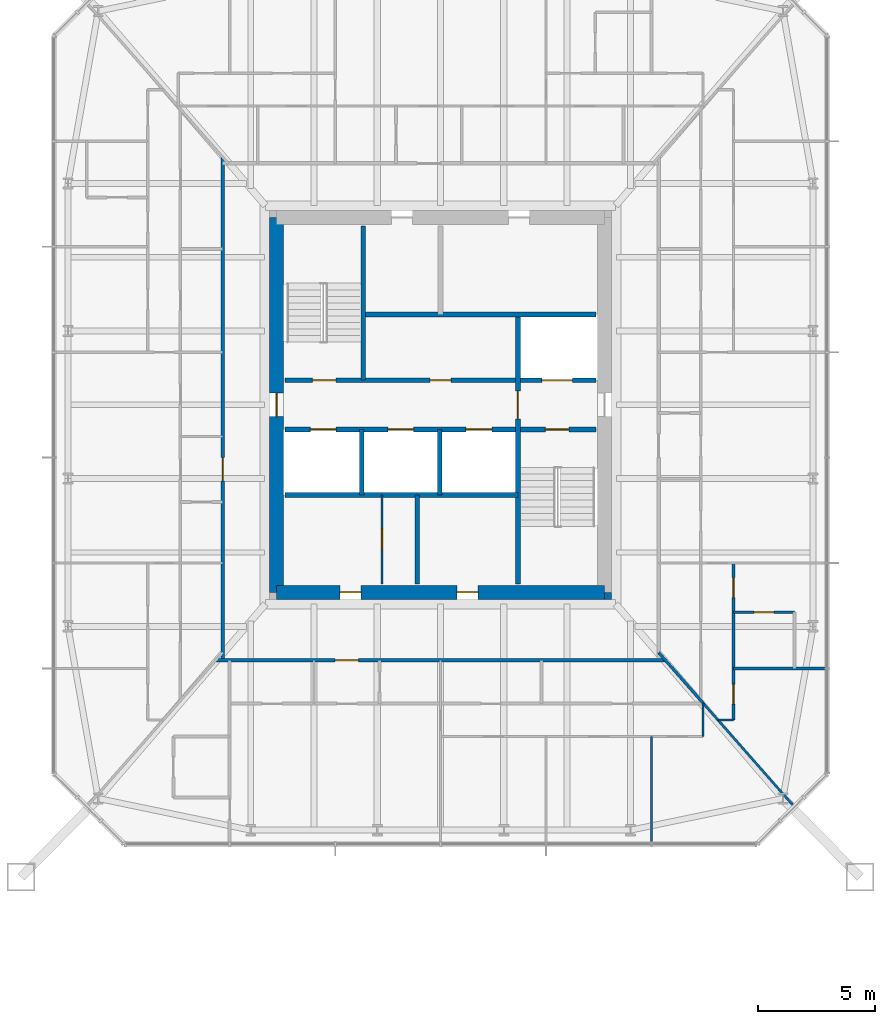
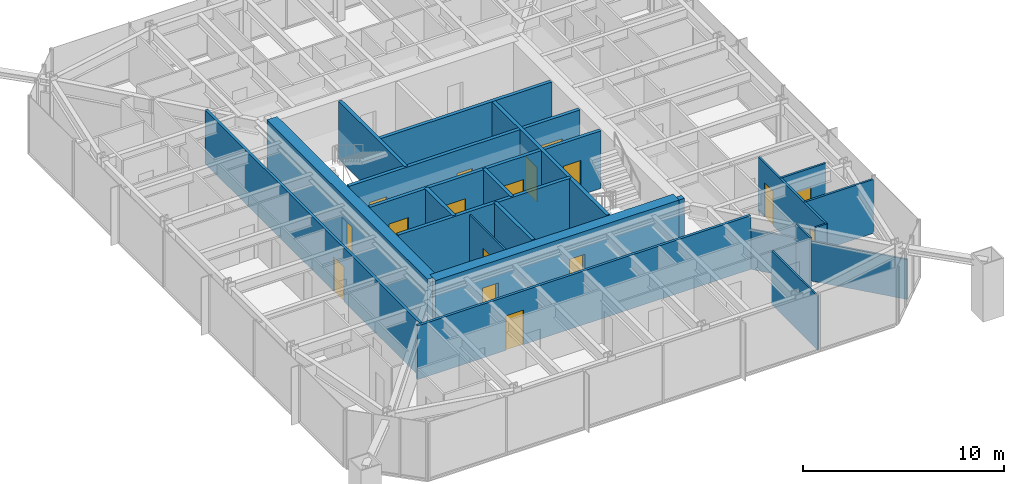
# One storey, part 19 of 26: 23 walls, 17 doors, 17 openings.
"""IFC4 building model written with IfcOpenShell, lengths in metres."""

from ifc_helpers import new_model, si_unit, direction, frame, frame_2d, origin, place, context, subcontext, project, spatial, rectangle, extrude, material, layer, layer_set, type_object, element, fill, save


model = new_model("IFC4")

# Units and contexts
model_context = context("Model", 3, precision=1e-05, world=origin(), true_north=direction((0.0, 1.0)))
body_context = subcontext(model_context, "Body", "Model", "MODEL_VIEW")
ifc_project = project(units=[si_unit("LENGTHUNIT", "METRE"), si_unit("AREAUNIT", "SQUARE_METRE"), si_unit("VOLUMEUNIT", "CUBIC_METRE"), si_unit("PLANEANGLEUNIT", "RADIAN"), si_unit("MASSUNIT", "GRAM", prefix="KILO")], contexts=[model_context])

# Site, building, storey
site_placement = place(None, origin())
site = spatial("IfcSite", under=ifc_project, at=site_placement, CompositionType="ELEMENT")
building_placement = place(site_placement, origin())
building = spatial("IfcBuilding", under=site, at=building_placement, Name="Iwan Alto Co-Living Towers", CompositionType="ELEMENT")
storey_placement = place(building_placement, frame((0.0, 0.0, 18.5)))
storey = spatial("IfcBuildingStorey", under=building, at=storey_placement, Name="L04", CompositionType="ELEMENT", Elevation=18.5)

# Wall, opening, door
ifc_material_1 = material(Name="Gypsum board")
ifc_layer_1 = layer(ifc_material_1, 0.02490234375, Name="Board", Category="Finish")
ifc_material_2 = material(Name="Steel ASTM A1003 ST33H cold-formed studs", Category="steel")
ifc_layer_2 = layer(ifc_material_2, 0.10009765625, Name="Studs", Category="Framing")
ifc_layer_3 = layer(ifc_material_1, 0.02490234375, Name="Board", Category="Finish")
ifc_layer_set_1 = layer_set([ifc_layer_1, ifc_layer_2, ifc_layer_3], Name="CORRIDOR WALL 150")
wall_type_1 = type_object("IfcWallType", Name="CORRIDOR WALL 150", PredefinedType="PARTITIONING", material=ifc_layer_set_1)
wall_1_placement = place(storey_placement, frame((53.407958984375, -10.89990234375, 0.0), z_axis=(0.0, 0.0, 1.0), x_axis=(1.0, 0.0, 0.0)))
wall_1 = element("IfcWall", 1, at=wall_1_placement, inside=storey, type_object=wall_type_1, Name="Partition L04", PredefinedType="PARTITIONING", context=body_context, shape_type="SweptSolid", body=[
    extrude(rectangle(XDim=19.18408203125, YDim=0.14990234375, at=frame_2d((9.592041015625, 0.0))), origin(), (0.0, 0.0, 1.0), 3.27001953125),
])
opening_1_placement = place(wall_1_placement, frame((5.092041015625, 0.0, 0.0)))
opening_1 = element("IfcOpeningElement", 2, at=opening_1_placement, cuts=wall_1, Name="Opening D3", PredefinedType="OPENING", context=body_context, shape_type="SweptSolid", body=[
    extrude(rectangle(XDim=1.0, YDim=2.10009765625, at=frame_2d((0.5, 1.050048828125))), frame((0.0, 0.0849609375, 0.0), z_axis=(0.0, -1.0, 0.0), x_axis=(1.0, 0.0, 0.0)), (0.0, 0.0, 1.0), 0.169921875),
])
ifc_material_3 = material(Name="Steel frame with timber leaf", Category="steel")
door_type_1 = type_object("IfcDoorType", Name="FLAT ENTRANCE DOOR FD30S 1000X2100", OperationType="SINGLE_SWING_LEFT", PredefinedType="DOOR", material=ifc_material_3)
door_1_placement = place(opening_1_placement, frame((1.0, 0.0, 0.0), z_axis=(0.0, 0.0, 1.0), x_axis=(-1.0, 0.0, 0.0)))
door_1 = element("IfcDoor", 3, at=door_1_placement, inside=storey, type_object=door_type_1, Name="Apartment foyer door L04", OperationType="SINGLE_SWING_RIGHT", OverallHeight=2.10009765625, OverallWidth=1.0, PredefinedType="DOOR", context=body_context, shape_type="SweptSolid", body=[
    extrude(rectangle(XDim=1.0, YDim=2.10009765625, at=frame_2d((0.5, 1.050048828125))), frame((0.0, 0.02490234375, 0.0), z_axis=(0.0, -1.0, 0.0), x_axis=(1.0, 0.0, 0.0)), (0.0, 0.0, 1.0), 0.050048828125),
])
fill(opening_1, door_1)

wall_2_placement = place(storey_placement, frame((53.699951171875, -10.89990234375, 0.0), z_axis=(0.0, 0.0, 1.0), x_axis=(0.0, 1.0, 0.0)))
wall_2 = element("IfcWall", 4, at=wall_2_placement, inside=storey, type_object=wall_type_1, Name="Partition L04", PredefinedType="PARTITIONING", context=body_context, shape_type="SweptSolid", body=[
    extrude(rectangle(XDim=21.468017578125, YDim=0.14990234375, at=frame_2d((10.73388671875, 0.0))), origin(), (0.0, 0.0, 1.0), 3.27001953125),
])
opening_2_placement = place(wall_2_placement, frame((7.64990234375, 0.0, 0.0)))
opening_2 = element("IfcOpeningElement", 5, at=opening_2_placement, cuts=wall_2, Name="Opening D3", PredefinedType="OPENING", context=body_context, shape_type="SweptSolid", body=[
    extrude(rectangle(XDim=1.0, YDim=2.10009765625, at=frame_2d((0.5, 1.050048828125))), frame((0.0, 0.0849609375, 0.0), z_axis=(0.0, -1.0, 0.0), x_axis=(1.0, 0.0, 0.0)), (0.0, 0.0, 1.0), 0.169921875),
])
door_2_placement = place(opening_2_placement, origin())
door_2 = element("IfcDoor", 6, at=door_2_placement, inside=storey, type_object=door_type_1, Name="Apartment foyer door L04", OperationType="SINGLE_SWING_LEFT", OverallHeight=2.10009765625, OverallWidth=1.0, PredefinedType="DOOR", context=body_context, shape_type="SweptSolid", body=[
    extrude(rectangle(XDim=1.0, YDim=2.10009765625, at=frame_2d((0.5, 1.050048828125))), frame((0.0, 0.02490234375, 0.0), z_axis=(0.0, -1.0, 0.0), x_axis=(1.0, 0.0, 0.0)), (0.0, 0.0, 1.0), 0.050048828125),
])
fill(opening_2, door_2)

# Walls
ifc_layer_4 = layer(ifc_material_1, 0.012451171875, Name="Board", Category="Finish")
ifc_layer_5 = layer(ifc_material_2, 0.074951171875, Name="Studs", Category="Framing")
ifc_layer_6 = layer(ifc_material_1, 0.012451171875, Name="Board", Category="Finish")
ifc_layer_set_2 = layer_set([ifc_layer_4, ifc_layer_5, ifc_layer_6], Name="PARTITION 100")
wall_type_2 = type_object("IfcWallType", Name="PARTITION 100", PredefinedType="PARTITIONING", material=ifc_layer_set_2)
wall_3_placement = place(storey_placement, frame((74.8359375, -13.449951171875, 0.0), z_axis=(0.0, 0.0, 1.0), x_axis=(1.0, 0.0, 0.0)))
element("IfcWall", 7, at=wall_3_placement, inside=storey, type_object=wall_type_2, Name="Partition L04", PredefinedType="PARTITIONING", context=body_context, shape_type="SweptSolid", body=[
    extrude(rectangle(XDim=0.6640625, YDim=0.10009765625, at=frame_2d((0.33203125, 0.0))), origin(), (0.0, 0.0, 1.0), 3.27001953125),
])
wall_4_placement = place(storey_placement, frame((74.199951171875, -14.14990234375, 0.0), z_axis=(0.0, 0.0, 1.0), x_axis=(0.0, 1.0, 0.0)))
element("IfcWall", 8, at=wall_4_placement, inside=storey, type_object=wall_type_2, Name="Partition L04", PredefinedType="PARTITIONING", context=body_context, shape_type="SweptSolid", body=[
    extrude(rectangle(XDim=1.4228515625, YDim=0.10009765625, at=frame_2d((0.71142578125, 0.0))), origin(), (0.0, 0.0, 1.0), 3.27001953125),
])
wall_5_placement = place(storey_placement, frame((72.0, -18.68994140625, 0.0), z_axis=(0.0, 0.0, 1.0), x_axis=(0.0, 1.0, 0.0)))
element("IfcWall", 9, at=wall_5_placement, inside=storey, type_object=wall_type_2, Name="Partition L04", PredefinedType="PARTITIONING", context=body_context, shape_type="SweptSolid", body=[
    extrude(rectangle(XDim=4.5400390625, YDim=0.10009765625, at=frame_2d((2.27001953125, 0.0))), origin(), (0.0, 0.0, 1.0), 3.27001953125),
])

# Wall, opening, door
wall_6_placement = place(storey_placement, frame((60.5, -7.639892578125, 0.0), z_axis=(0.0, 0.0, 1.0), x_axis=(0.0, 1.0, 0.0)))
wall_6 = element("IfcWall", 10, at=wall_6_placement, inside=storey, type_object=wall_type_2, Name="Partition L04", PredefinedType="PARTITIONING", context=body_context, shape_type="SweptSolid", body=[
    extrude(rectangle(XDim=3.789794921875, YDim=0.10009765625, at=frame_2d((1.89501953125, 0.0))), origin(), (0.0, 0.0, 1.0), 3.300048828125),
])
opening_3_placement = place(wall_6_placement, frame((1.445068359375, 0.0, 0.0)))
opening_3 = element("IfcOpeningElement", 11, at=opening_3_placement, cuts=wall_6, Name="Opening D16", PredefinedType="OPENING", context=body_context, shape_type="SweptSolid", body=[
    extrude(rectangle(XDim=0.89990234375, YDim=2.10009765625, at=frame_2d((0.449951171875, 1.050048828125))), frame((0.0, 0.06005859375, 0.0), z_axis=(0.0, -1.0, 0.0), x_axis=(1.0, 0.0, 0.0)), (0.0, 0.0, 1.0), 0.1201171875),
])
ifc_material_4 = material(Name="Timber leaf in steel frame", Category="steel")
door_type_2 = type_object("IfcDoorType", Name="CUPBOARD SLIDING DOOR 900X2100", OperationType="SLIDING_TO_LEFT", PredefinedType="DOOR", material=ifc_material_4)
door_3_placement = place(opening_3_placement, origin())
door_3 = element("IfcDoor", 12, at=door_3_placement, inside=storey, type_object=door_type_2, Name="Cleaner's store door L04", OperationType="SLIDING_TO_LEFT", OverallHeight=2.10009765625, OverallWidth=0.89990234375, PredefinedType="DOOR", context=body_context, shape_type="SweptSolid", body=[
    extrude(rectangle(XDim=0.89990234375, YDim=2.10009765625, at=frame_2d((0.449951171875, 1.050048828125))), frame((0.0, 0.02490234375, 0.0), z_axis=(0.0, -1.0, 0.0), x_axis=(1.0, 0.0, 0.0)), (0.0, 0.0, 1.0), 0.050048828125),
])
fill(opening_3, door_3)

# Walls
wall_7_placement = place(storey_placement, frame((78.056640625, -17.109375, 0.0), z_axis=(0.0, 0.0, 1.0), x_axis=(-0.660654290516, 0.750690287951, 0.0)))
element("IfcWall", 13, at=wall_7_placement, inside=storey, type_object=wall_type_2, Name="Partition L04", PredefinedType="PARTITIONING", context=body_context, shape_type="SweptSolid", body=[
    extrude(rectangle(XDim=5.838134765625, YDim=0.10009765625, at=frame_2d((2.9189453125, 0.0))), origin(), (0.0, 0.0, 1.0), 2.42919921875),
])
ifc_material_5 = material(Name="Concrete f'c 70 MPa", Category="concrete")
ifc_layer_7 = layer(ifc_material_5, 0.199951171875)
ifc_layer_set_3 = layer_set([ifc_layer_7], Name="SHAFT WALL 200")
wall_type_3 = type_object("IfcWallType", Name="SHAFT WALL 200", PredefinedType="SOLIDWALL", material=ifc_layer_set_3)
wall_8_placement = place(storey_placement, frame((56.360107421875, -3.85009765625, 0.0), z_axis=(0.0, 0.0, 1.0), x_axis=(1.0, 0.0, 0.0)))
element("IfcWall", 14, at=wall_8_placement, inside=storey, type_object=wall_type_3, Name="Shaft wall L04", PredefinedType="SOLIDWALL", context=body_context, shape_type="SweptSolid", body=[
    extrude(rectangle(XDim=9.93994140625, YDim=0.199951171875, at=frame_2d((4.969970703125, 0.0))), origin(), (0.0, 0.0, 1.0), 3.5),
])

# Wall, openings, doors
wall_9_placement = place(storey_placement, frame((56.360107421875, -1.050048828125, 0.0), z_axis=(0.0, 0.0, 1.0), x_axis=(1.0, 0.0, 0.0)))
wall_9 = element("IfcWall", 15, at=wall_9_placement, inside=storey, type_object=wall_type_3, Name="Shaft wall L04", PredefinedType="SOLIDWALL", context=body_context, shape_type="SweptSolid", body=[
    extrude(rectangle(XDim=13.27978515625, YDim=0.199951171875, at=frame_2d((6.639892578125, 0.0))), origin(), (0.0, 0.0, 1.0), 3.5),
])
opening_4_placement = place(wall_9_placement, frame((11.110107421875, 0.0, 0.0)))
opening_4 = element("IfcOpeningElement", 16, at=opening_4_placement, cuts=wall_9, Name="Opening D5", PredefinedType="OPENING", context=body_context, shape_type="SweptSolid", body=[
    extrude(rectangle(XDim=1.0, YDim=2.10009765625, at=frame_2d((0.5, 1.050048828125))), frame((0.0, 0.10986328125, 0.0), z_axis=(0.0, -1.0, 0.0), x_axis=(1.0, 0.0, 0.0)), (0.0, 0.0, 1.0), 0.219970703125),
])
opening_5_placement = place(wall_9_placement, frame((1.0869140625, 0.0, 0.0)))
opening_5 = element("IfcOpeningElement", 17, at=opening_5_placement, cuts=wall_9, Name="Opening LD", PredefinedType="OPENING", context=body_context, shape_type="SweptSolid", body=[
    extrude(rectangle(XDim=1.10009765625, YDim=2.10009765625, at=frame_2d((0.550048828125, 1.050048828125))), frame((0.0, 0.10986328125, 0.0), z_axis=(0.0, -1.0, 0.0), x_axis=(1.0, 0.0, 0.0)), (0.0, 0.0, 1.0), 0.219970703125),
])
opening_6_placement = place(wall_9_placement, frame((4.389892578125, 0.0, 0.0)))
opening_6 = element("IfcOpeningElement", 18, at=opening_6_placement, cuts=wall_9, Name="Opening LD", PredefinedType="OPENING", context=body_context, shape_type="SweptSolid", body=[
    extrude(rectangle(XDim=1.10009765625, YDim=2.10009765625, at=frame_2d((0.550048828125, 1.050048828125))), frame((0.0, 0.10986328125, 0.0), z_axis=(0.0, -1.0, 0.0), x_axis=(1.0, 0.0, 0.0)), (0.0, 0.0, 1.0), 0.219970703125),
])
opening_7_placement = place(wall_9_placement, frame((7.72412109375, 0.0, 0.0)))
opening_7 = element("IfcOpeningElement", 19, at=opening_7_placement, cuts=wall_9, Name="Opening LD", PredefinedType="OPENING", context=body_context, shape_type="SweptSolid", body=[
    extrude(rectangle(XDim=1.10009765625, YDim=2.10009765625, at=frame_2d((0.550048828125, 1.050048828125))), frame((0.0, 0.10986328125, 0.0), z_axis=(0.0, -1.0, 0.0), x_axis=(1.0, 0.0, 0.0)), (0.0, 0.0, 1.0), 0.219970703125),
])
ifc_material_6 = material(Name="Steel frame with timber leaf", Category="steel")
door_type_3 = type_object("IfcDoorType", Name="LIFT LANDING DOOR 1100X2100", OperationType="DOUBLE_DOOR_SLIDING", PredefinedType="DOOR", material=ifc_material_6)
door_4_placement = place(opening_5_placement, origin())
door_4 = element("IfcDoor", 20, at=door_4_placement, inside=storey, type_object=door_type_3, Name="Lift P5-1 landing door L04", OperationType="DOUBLE_DOOR_SLIDING", OverallHeight=2.10009765625, OverallWidth=1.10009765625, PredefinedType="DOOR", context=body_context, shape_type="SweptSolid", body=[
    extrude(rectangle(XDim=1.10009765625, YDim=2.10009765625, at=frame_2d((0.550048828125, 1.050048828125))), frame((0.0, 0.02490234375, 0.0), z_axis=(0.0, -1.0, 0.0), x_axis=(1.0, 0.0, 0.0)), (0.0, 0.0, 1.0), 0.050048828125),
])
fill(opening_5, door_4)
door_5_placement = place(opening_6_placement, origin())
door_5 = element("IfcDoor", 21, at=door_5_placement, inside=storey, type_object=door_type_3, Name="Lift P5-2 landing door L04", OperationType="DOUBLE_DOOR_SLIDING", OverallHeight=2.10009765625, OverallWidth=1.10009765625, PredefinedType="DOOR", context=body_context, shape_type="SweptSolid", body=[
    extrude(rectangle(XDim=1.10009765625, YDim=2.10009765625, at=frame_2d((0.550048828125, 1.050048828125))), frame((0.0, 0.02490234375, 0.0), z_axis=(0.0, -1.0, 0.0), x_axis=(1.0, 0.0, 0.0)), (0.0, 0.0, 1.0), 0.050048828125),
])
fill(opening_6, door_5)
door_6_placement = place(opening_7_placement, origin())
door_6 = element("IfcDoor", 22, at=door_6_placement, inside=storey, type_object=door_type_3, Name="Lift P6-3 landing door L04", OperationType="DOUBLE_DOOR_SLIDING", OverallHeight=2.10009765625, OverallWidth=1.10009765625, PredefinedType="DOOR", context=body_context, shape_type="SweptSolid", body=[
    extrude(rectangle(XDim=1.10009765625, YDim=2.10009765625, at=frame_2d((0.550048828125, 1.050048828125))), frame((0.0, 0.02490234375, 0.0), z_axis=(0.0, -1.0, 0.0), x_axis=(1.0, 0.0, 0.0)), (0.0, 0.0, 1.0), 0.050048828125),
])
fill(opening_7, door_6)
ifc_material_7 = material(Name="Steel frame with timber leaf", Category="steel")
door_type_4 = type_object("IfcDoorType", Name="STAIR DOOR FD120S 1000X2100", OperationType="SINGLE_SWING_LEFT", PredefinedType="DOOR", material=ifc_material_7)
door_7_placement = place(opening_4_placement, frame((1.0, 0.0, 0.0), z_axis=(0.0, 0.0, 1.0), x_axis=(-1.0, 0.0, 0.0)))
door_7 = element("IfcDoor", 23, at=door_7_placement, inside=storey, type_object=door_type_4, Name="Stair S2 door L04", OperationType="SINGLE_SWING_RIGHT", OverallHeight=2.10009765625, OverallWidth=1.0, PredefinedType="DOOR", context=body_context, shape_type="SweptSolid", body=[
    extrude(rectangle(XDim=1.0, YDim=2.10009765625, at=frame_2d((0.5, 1.050048828125))), frame((0.0, 0.02490234375, 0.0), z_axis=(0.0, -1.0, 0.0), x_axis=(1.0, 0.0, 0.0)), (0.0, 0.0, 1.0), 0.050048828125),
])
fill(opening_4, door_7)

wall_10_placement = place(storey_placement, frame((56.360107421875, 1.050048828125, 0.0), z_axis=(0.0, 0.0, 1.0), x_axis=(1.0, 0.0, 0.0)))
wall_10 = element("IfcWall", 24, at=wall_10_placement, inside=storey, type_object=wall_type_3, Name="Shaft wall L04", PredefinedType="SOLIDWALL", context=body_context, shape_type="SweptSolid", body=[
    extrude(rectangle(XDim=13.27978515625, YDim=0.199951171875, at=frame_2d((6.639892578125, 0.0))), origin(), (0.0, 0.0, 1.0), 3.5),
])
opening_8_placement = place(wall_10_placement, frame((1.169921875, 0.0, 0.0)))
opening_8 = element("IfcOpeningElement", 25, at=opening_8_placement, cuts=wall_10, Name="Opening D5", PredefinedType="OPENING", context=body_context, shape_type="SweptSolid", body=[
    extrude(rectangle(XDim=1.0, YDim=2.10009765625, at=frame_2d((0.5, 1.050048828125))), frame((0.0, 0.10986328125, 0.0), z_axis=(0.0, -1.0, 0.0), x_axis=(1.0, 0.0, 0.0)), (0.0, 0.0, 1.0), 0.219970703125),
])
opening_9_placement = place(wall_10_placement, frame((6.18994140625, 0.0, 0.0)))
opening_9 = element("IfcOpeningElement", 26, at=opening_9_placement, cuts=wall_10, Name="Opening D8", PredefinedType="OPENING", context=body_context, shape_type="SweptSolid", body=[
    extrude(rectangle(XDim=0.89990234375, YDim=2.10009765625, at=frame_2d((0.449951171875, 1.050048828125))), frame((0.0, 0.10986328125, 0.0), z_axis=(0.0, -1.0, 0.0), x_axis=(1.0, 0.0, 0.0)), (0.0, 0.0, 1.0), 0.219970703125),
])
opening_10_placement = place(wall_10_placement, frame((10.9599609375, 0.0, 0.0)))
opening_10 = element("IfcOpeningElement", 27, at=opening_10_placement, cuts=wall_10, Name="Opening LD2", PredefinedType="OPENING", context=body_context, shape_type="SweptSolid", body=[
    extrude(rectangle(XDim=1.300048828125, YDim=2.10009765625, at=frame_2d((0.64990234375, 1.050048828125))), frame((0.0, 0.10986328125, 0.0), z_axis=(0.0, -1.0, 0.0), x_axis=(1.0, 0.0, 0.0)), (0.0, 0.0, 1.0), 0.219970703125),
])
ifc_material_8 = material(Name="Steel frame with timber leaf", Category="steel")
door_type_5 = type_object("IfcDoorType", Name="LIFT LANDING DOOR 1300X2100", OperationType="SLIDING_TO_LEFT", PredefinedType="DOOR", material=ifc_material_8)
door_8_placement = place(opening_10_placement, origin())
door_8 = element("IfcDoor", 28, at=door_8_placement, inside=storey, type_object=door_type_5, Name="Lift FL2 landing door L04", OperationType="SLIDING_TO_LEFT", OverallHeight=2.10009765625, OverallWidth=1.300048828125, PredefinedType="DOOR", context=body_context, shape_type="SweptSolid", body=[
    extrude(rectangle(XDim=1.300048828125, YDim=2.10009765625, at=frame_2d((0.64990234375, 1.050048828125))), frame((0.0, 0.02490234375, 0.0), z_axis=(0.0, -1.0, 0.0), x_axis=(1.0, 0.0, 0.0)), (0.0, 0.0, 1.0), 0.050048828125),
])
fill(opening_10, door_8)
ifc_material_9 = material(Name="Steel frame with timber leaf", Category="steel")
door_type_6 = type_object("IfcDoorType", Name="RISER DOOR FD120 900X2100", OperationType="SINGLE_SWING_LEFT", PredefinedType="DOOR", material=ifc_material_9)
door_9_placement = place(opening_9_placement, origin())
door_9 = element("IfcDoor", 29, at=door_9_placement, inside=storey, type_object=door_type_6, Name="Riser room door L04", OperationType="SINGLE_SWING_LEFT", OverallHeight=2.10009765625, OverallWidth=0.89990234375, PredefinedType="DOOR", context=body_context, shape_type="SweptSolid", body=[
    extrude(rectangle(XDim=0.89990234375, YDim=2.10009765625, at=frame_2d((0.449951171875, 1.050048828125))), frame((0.0, 0.02490234375, 0.0), z_axis=(0.0, -1.0, 0.0), x_axis=(1.0, 0.0, 0.0)), (0.0, 0.0, 1.0), 0.050048828125),
])
fill(opening_9, door_9)
door_10_placement = place(opening_8_placement, origin())
door_10 = element("IfcDoor", 30, at=door_10_placement, inside=storey, type_object=door_type_4, Name="Stair S1 door L04", OperationType="SINGLE_SWING_RIGHT", OverallHeight=2.10009765625, OverallWidth=1.0, PredefinedType="DOOR", context=body_context, shape_type="SweptSolid", body=[
    extrude(rectangle(XDim=1.0, YDim=2.10009765625, at=frame_2d((0.5, 1.050048828125))), frame((0.0, 0.02490234375, 0.0), z_axis=(0.0, -1.0, 0.0), x_axis=(1.0, 0.0, 0.0)), (0.0, 0.0, 1.0), 0.050048828125),
])
fill(opening_8, door_10)

# Wall
wall_11_placement = place(storey_placement, frame((59.699951171875, 3.85009765625, 0.0), z_axis=(0.0, 0.0, 1.0), x_axis=(1.0, 0.0, 0.0)))
element("IfcWall", 31, at=wall_11_placement, inside=storey, type_object=wall_type_3, Name="Shaft wall L04", PredefinedType="SOLIDWALL", context=body_context, shape_type="SweptSolid", body=[
    extrude(rectangle(XDim=9.93994140625, YDim=0.199951171875, at=frame_2d((4.969970703125, 0.0))), origin(), (0.0, 0.0, 1.0), 3.5),
])

# Wall, opening, door
wall_12_placement = place(storey_placement, frame((66.300048828125, -7.639892578125, 0.0), z_axis=(0.0, 0.0, 1.0), x_axis=(0.0, 1.0, 0.0)))
wall_12 = element("IfcWall", 32, at=wall_12_placement, inside=storey, type_object=wall_type_3, Name="Shaft wall L04", PredefinedType="SOLIDWALL", context=body_context, shape_type="SweptSolid", body=[
    extrude(rectangle(XDim=11.489990234375, YDim=0.199951171875, at=frame_2d((5.7451171875, 0.0))), origin(), (0.0, 0.0, 1.0), 3.5),
])
opening_11_placement = place(wall_12_placement, frame((7.0400390625, 0.0, 0.0)))
opening_11 = element("IfcOpeningElement", 33, at=opening_11_placement, cuts=wall_12, Name="Opening D6", PredefinedType="OPENING", context=body_context, shape_type="SweptSolid", body=[
    extrude(rectangle(XDim=1.199951171875, YDim=2.10009765625, at=frame_2d((0.60009765625, 1.050048828125))), frame((0.0, 0.10986328125, 0.0), z_axis=(0.0, -1.0, 0.0), x_axis=(1.0, 0.0, 0.0)), (0.0, 0.0, 1.0), 0.219970703125),
])
ifc_material_10 = material(Name="Steel frame with timber leaf", Category="steel")
door_type_7 = type_object("IfcDoorType", Name="LOBBY DOOR FD120S 1200X2100", OperationType="SINGLE_SWING_LEFT", PredefinedType="DOOR", material=ifc_material_10)
door_11_placement = place(opening_11_placement, frame((1.199951171875, 0.0, 0.0), z_axis=(0.0, 0.0, 1.0), x_axis=(-1.0, 0.0, 0.0)))
door_11 = element("IfcDoor", 34, at=door_11_placement, inside=storey, type_object=door_type_7, Name="Firefighting lobby door L04", OperationType="SINGLE_SWING_RIGHT", OverallHeight=2.10009765625, OverallWidth=1.199951171875, PredefinedType="DOOR", context=body_context, shape_type="SweptSolid", body=[
    extrude(rectangle(XDim=1.199951171875, YDim=2.10009765625, at=frame_2d((0.60009765625, 1.050048828125))), frame((0.0, 0.02490234375, 0.0), z_axis=(0.0, -1.0, 0.0), x_axis=(1.0, 0.0, 0.0)), (0.0, 0.0, 1.0), 0.050048828125),
])
fill(opening_11, door_11)

# Walls
wall_13_placement = place(storey_placement, frame((62.967041015625, -3.85009765625, 0.0), z_axis=(0.0, 0.0, 1.0), x_axis=(0.0, 1.0, 0.0)))
element("IfcWall", 35, at=wall_13_placement, inside=storey, type_object=wall_type_3, Name="Shaft wall L04", PredefinedType="SOLIDWALL", context=body_context, shape_type="SweptSolid", body=[
    extrude(rectangle(XDim=2.800048828125, YDim=0.199951171875, at=frame_2d((1.39990234375, 0.0))), origin(), (0.0, 0.0, 1.0), 3.5),
])
wall_14_placement = place(storey_placement, frame((62.0, -7.639892578125, 0.0), z_axis=(0.0, 0.0, 1.0), x_axis=(0.0, 1.0, 0.0)))
element("IfcWall", 36, at=wall_14_placement, inside=storey, type_object=wall_type_3, Name="Shaft wall L04", PredefinedType="SOLIDWALL", context=body_context, shape_type="SweptSolid", body=[
    extrude(rectangle(XDim=3.789794921875, YDim=0.199951171875, at=frame_2d((1.89501953125, 0.0))), origin(), (0.0, 0.0, 1.0), 3.5),
])
wall_15_placement = place(storey_placement, frame((59.699951171875, 1.050048828125, 0.0), z_axis=(0.0, 0.0, 1.0), x_axis=(0.0, 1.0, 0.0)))
element("IfcWall", 37, at=wall_15_placement, inside=storey, type_object=wall_type_3, Name="Shaft wall L04", PredefinedType="SOLIDWALL", context=body_context, shape_type="SweptSolid", body=[
    extrude(rectangle(XDim=6.58984375, YDim=0.199951171875, at=frame_2d((3.294921875, 0.0))), origin(), (0.0, 0.0, 1.0), 3.5),
])
wall_16_placement = place(storey_placement, frame((59.633056640625, -3.85009765625, 0.0), z_axis=(0.0, 0.0, 1.0), x_axis=(0.0, 1.0, 0.0)))
element("IfcWall", 38, at=wall_16_placement, inside=storey, type_object=wall_type_3, Name="Shaft wall L04", PredefinedType="SOLIDWALL", context=body_context, shape_type="SweptSolid", body=[
    extrude(rectangle(XDim=2.800048828125, YDim=0.199951171875, at=frame_2d((1.39990234375, 0.0))), origin(), (0.0, 0.0, 1.0), 3.5),
])
ifc_material_11 = material(Name="Concrete f'c 70 MPa", Category="concrete")
ifc_layer_8 = layer(ifc_material_11, 0.300048828125)
ifc_layer_set_4 = layer_set([ifc_layer_8], Name="T2 CORE CORNER FILL 300")
wall_type_4 = type_object("IfcWallType", Name="T2 CORE CORNER FILL 300", PredefinedType="SOLIDWALL", material=ifc_layer_set_4)
wall_17_placement = place(storey_placement, frame((70.0, -8.14990234375, 0.0), z_axis=(0.0, 0.0, 1.0), x_axis=(1.0, 0.0, 0.0)))
element("IfcWall", 39, at=wall_17_placement, inside=storey, type_object=wall_type_4, Name="T2 core corner SE L04", PredefinedType="SOLIDWALL", context=body_context, shape_type="SweptSolid", body=[
    extrude(rectangle(XDim=0.300048828125, YDim=0.300048828125, at=frame_2d((0.14990234375, 0.0))), origin(), (0.0, 0.0, 1.0), 3.5),
])

# Wall, openings, doors
ifc_material_12 = material(Name="Concrete f'c 70 MPa", Category="concrete")
ifc_layer_9 = layer(ifc_material_12, 0.60009765625)
ifc_layer_set_5 = layer_set([ifc_layer_9], Name="T2 CORE WALL 600")
wall_type_5 = type_object("IfcWallType", Name="T2 CORE WALL 600", PredefinedType="SHEAR", material=ifc_layer_set_5)
wall_18_placement = place(storey_placement, frame((56.0, -8.0, 0.0), z_axis=(0.0, 0.0, 1.0), x_axis=(1.0, 0.0, 0.0)))
wall_18 = element("IfcWall", 40, at=wall_18_placement, inside=storey, type_object=wall_type_5, Name="T2 core wall S L04", PredefinedType="SHEAR", context=body_context, shape_type="SweptSolid", body=[
    extrude(rectangle(XDim=14.0, YDim=0.60009765625, at=frame_2d((7.0, 0.0))), origin(), (0.0, 0.0, 1.0), 3.5),
])
opening_12_placement = place(wall_18_placement, frame((2.699951171875, 0.0, 0.0)))
opening_12 = element("IfcOpeningElement", 41, at=opening_12_placement, cuts=wall_18, Name="Opening D8", PredefinedType="OPENING", context=body_context, shape_type="SweptSolid", body=[
    extrude(rectangle(XDim=0.89990234375, YDim=2.10009765625, at=frame_2d((0.449951171875, 1.050048828125))), frame((0.0, 0.31005859375, 0.0), z_axis=(0.0, -1.0, 0.0), x_axis=(1.0, 0.0, 0.0)), (0.0, 0.0, 1.0), 0.6201171875),
])
opening_13_placement = place(wall_18_placement, frame((7.699951171875, 0.0, 0.0)))
opening_13 = element("IfcOpeningElement", 42, at=opening_13_placement, cuts=wall_18, Name="Opening D8", PredefinedType="OPENING", context=body_context, shape_type="SweptSolid", body=[
    extrude(rectangle(XDim=0.89990234375, YDim=2.10009765625, at=frame_2d((0.449951171875, 1.050048828125))), frame((0.0, 0.31005859375, 0.0), z_axis=(0.0, -1.0, 0.0), x_axis=(1.0, 0.0, 0.0)), (0.0, 0.0, 1.0), 0.6201171875),
])
door_12_placement = place(opening_12_placement, origin())
door_12 = element("IfcDoor", 43, at=door_12_placement, inside=storey, type_object=door_type_6, Name="Refuse room core door L04", OperationType="SINGLE_SWING_RIGHT", OverallHeight=2.10009765625, OverallWidth=0.89990234375, PredefinedType="DOOR", context=body_context, shape_type="SweptSolid", body=[
    extrude(rectangle(XDim=0.89990234375, YDim=2.10009765625, at=frame_2d((0.449951171875, 1.050048828125))), frame((0.0, 0.02490234375, 0.0), z_axis=(0.0, -1.0, 0.0), x_axis=(1.0, 0.0, 0.0)), (0.0, 0.0, 1.0), 0.050048828125),
])
fill(opening_12, door_12)
door_13_placement = place(opening_13_placement, origin())
door_13 = element("IfcDoor", 44, at=door_13_placement, inside=storey, type_object=door_type_6, Name="Telecom riser core door L04", OperationType="SINGLE_SWING_LEFT", OverallHeight=2.10009765625, OverallWidth=0.89990234375, PredefinedType="DOOR", context=body_context, shape_type="SweptSolid", body=[
    extrude(rectangle(XDim=0.89990234375, YDim=2.10009765625, at=frame_2d((0.449951171875, 1.050048828125))), frame((0.0, 0.02490234375, 0.0), z_axis=(0.0, -1.0, 0.0), x_axis=(1.0, 0.0, 0.0)), (0.0, 0.0, 1.0), 0.050048828125),
])
fill(opening_13, door_13)

# Wall, opening, door
wall_19_placement = place(storey_placement, frame((56.0, 8.0, 0.0), z_axis=(0.0, 0.0, 1.0), x_axis=(0.0, -1.0, 0.0)))
wall_19 = element("IfcWall", 45, at=wall_19_placement, inside=storey, type_object=wall_type_5, Name="T2 core wall W L04", PredefinedType="SHEAR", context=body_context, shape_type="SweptSolid", body=[
    extrude(rectangle(XDim=16.0, YDim=0.60009765625, at=frame_2d((8.0, 0.0))), origin(), (0.0, 0.0, 1.0), 3.5),
])
opening_14_placement = place(wall_19_placement, frame((7.5, 0.0, 0.0)))
opening_14 = element("IfcOpeningElement", 46, at=opening_14_placement, cuts=wall_19, Name="Opening D7", PredefinedType="OPENING", context=body_context, shape_type="SweptSolid", body=[
    extrude(rectangle(XDim=1.0, YDim=2.10009765625, at=frame_2d((0.5, 1.050048828125))), frame((0.0, 0.31005859375, 0.0), z_axis=(0.0, -1.0, 0.0), x_axis=(1.0, 0.0, 0.0)), (0.0, 0.0, 1.0), 0.6201171875),
])
ifc_material_13 = material(Name="Steel frame with timber leaf", Category="steel")
door_type_8 = type_object("IfcDoorType", Name="CORE DOOR FD120S 1000X2100", OperationType="SINGLE_SWING_LEFT", PredefinedType="DOOR", material=ifc_material_13)
door_14_placement = place(opening_14_placement, origin())
door_14 = element("IfcDoor", 47, at=door_14_placement, inside=storey, type_object=door_type_8, Name="Lift lobby core door L04", OperationType="SINGLE_SWING_RIGHT", OverallHeight=2.10009765625, OverallWidth=1.0, PredefinedType="DOOR", context=body_context, shape_type="SweptSolid", body=[
    extrude(rectangle(XDim=1.0, YDim=2.10009765625, at=frame_2d((0.5, 1.050048828125))), frame((0.0, 0.02490234375, 0.0), z_axis=(0.0, -1.0, 0.0), x_axis=(1.0, 0.0, 0.0)), (0.0, 0.0, 1.0), 0.050048828125),
])
fill(opening_14, door_14)

# Wall
ifc_material_14 = material(Name="Cement board")
ifc_layer_10 = layer(ifc_material_14, 0.012451171875, Name="Board", Category="Finish")
ifc_layer_11 = layer(ifc_material_2, 0.094970703125, Name="Studs", Category="Framing")
ifc_layer_12 = layer(ifc_material_14, 0.012451171875, Name="Board", Category="Finish")
ifc_layer_set_6 = layer_set([ifc_layer_10, ifc_layer_11, ifc_layer_12], Name="WET AREA PARTITION 120")
wall_type_6 = type_object("IfcWallType", Name="WET AREA PARTITION 120", PredefinedType="PARTITIONING", material=ifc_layer_set_6)
wall_20_placement = place(storey_placement, frame((75.5, -11.25, 0.0), z_axis=(0.0, 0.0, 1.0), x_axis=(1.0, 0.0, 0.0)))
element("IfcWall", 48, at=wall_20_placement, inside=storey, type_object=wall_type_6, Name="Partition L04", PredefinedType="PARTITIONING", context=body_context, shape_type="SweptSolid", body=[
    extrude(rectangle(XDim=3.93994140625, YDim=0.1201171875, at=frame_2d((1.969970703125, 0.0))), origin(), (0.0, 0.0, 1.0), 3.27001953125),
])

# Wall, opening, door
wall_21_placement = place(storey_placement, frame((75.5, -8.85009765625, 0.0), z_axis=(0.0, 0.0, 1.0), x_axis=(1.0, 0.0, 0.0)))
wall_21 = element("IfcWall", 49, at=wall_21_placement, inside=storey, type_object=wall_type_6, Name="Partition L04", PredefinedType="PARTITIONING", context=body_context, shape_type="SweptSolid", body=[
    extrude(rectangle(XDim=2.60009765625, YDim=0.1201171875, at=frame_2d((1.300048828125, 0.0))), origin(), (0.0, 0.0, 1.0), 3.27001953125),
])
opening_15_placement = place(wall_21_placement, frame((0.875, 0.0, 0.0)))
opening_15 = element("IfcOpeningElement", 50, at=opening_15_placement, cuts=wall_21, Name="Opening D2", PredefinedType="OPENING", context=body_context, shape_type="SweptSolid", body=[
    extrude(rectangle(XDim=0.85009765625, YDim=2.10009765625, at=frame_2d((0.425048828125, 1.050048828125))), frame((0.0, 0.070068359375, 0.0), z_axis=(0.0, -1.0, 0.0), x_axis=(1.0, 0.0, 0.0)), (0.0, 0.0, 1.0), 0.14013671875),
])
ifc_material_15 = material(Name="Timber leaf in steel frame", Category="steel")
door_type_9 = type_object("IfcDoorType", Name="ROOM DOOR 850X2100", OperationType="SINGLE_SWING_LEFT", PredefinedType="DOOR", material=ifc_material_15)
door_15_placement = place(opening_15_placement, origin())
door_15 = element("IfcDoor", 51, at=door_15_placement, inside=storey, type_object=door_type_9, Name="En-suite shower room door L04", OperationType="SINGLE_SWING_LEFT", OverallHeight=2.10009765625, OverallWidth=0.85009765625, PredefinedType="DOOR", context=body_context, shape_type="SweptSolid", body=[
    extrude(rectangle(XDim=0.85009765625, YDim=2.10009765625, at=frame_2d((0.425048828125, 1.050048828125))), frame((0.0, 0.02490234375, 0.0), z_axis=(0.0, -1.0, 0.0), x_axis=(1.0, 0.0, 0.0)), (0.0, 0.0, 1.0), 0.050048828125),
])
fill(opening_15, door_15)

# Wall, openings, doors
wall_22_placement = place(storey_placement, frame((75.5, -13.449951171875, 0.0), z_axis=(0.0, 0.0, 1.0), x_axis=(0.0, 1.0, 0.0)))
wall_22 = element("IfcWall", 52, at=wall_22_placement, inside=storey, type_object=wall_type_6, Name="Partition L04", PredefinedType="PARTITIONING", context=body_context, shape_type="SweptSolid", body=[
    extrude(rectangle(XDim=6.699951171875, YDim=0.1201171875, at=frame_2d((3.35009765625, 0.0))), origin(), (0.0, 0.0, 1.0), 3.27001953125),
])
opening_16_placement = place(wall_22_placement, frame((5.22509765625, 0.0, 0.0)))
opening_16 = element("IfcOpeningElement", 53, at=opening_16_placement, cuts=wall_22, Name="Opening D2", PredefinedType="OPENING", context=body_context, shape_type="SweptSolid", body=[
    extrude(rectangle(XDim=0.85009765625, YDim=2.10009765625, at=frame_2d((0.425048828125, 1.050048828125))), frame((0.0, 0.070068359375, 0.0), z_axis=(0.0, -1.0, 0.0), x_axis=(1.0, 0.0, 0.0)), (0.0, 0.0, 1.0), 0.14013671875),
])
opening_17_placement = place(wall_22_placement, frame((0.675048828125, 0.0, 0.0)))
opening_17 = element("IfcOpeningElement", 54, at=opening_17_placement, cuts=wall_22, Name="Opening D2", PredefinedType="OPENING", context=body_context, shape_type="SweptSolid", body=[
    extrude(rectangle(XDim=0.85009765625, YDim=2.10009765625, at=frame_2d((0.425048828125, 1.050048828125))), frame((0.0, 0.070068359375, 0.0), z_axis=(0.0, -1.0, 0.0), x_axis=(1.0, 0.0, 0.0)), (0.0, 0.0, 1.0), 0.14013671875),
])
door_16_placement = place(opening_16_placement, frame((0.85009765625, 0.0, 0.0), z_axis=(0.0, 0.0, 1.0), x_axis=(-1.0, 0.0, 0.0)))
door_16 = element("IfcDoor", 55, at=door_16_placement, inside=storey, type_object=door_type_9, Name="Bedroom door L04", OperationType="SINGLE_SWING_RIGHT", OverallHeight=2.10009765625, OverallWidth=0.85009765625, PredefinedType="DOOR", context=body_context, shape_type="SweptSolid", body=[
    extrude(rectangle(XDim=0.85009765625, YDim=2.10009765625, at=frame_2d((0.425048828125, 1.050048828125))), frame((0.0, 0.02490234375, 0.0), z_axis=(0.0, -1.0, 0.0), x_axis=(1.0, 0.0, 0.0)), (0.0, 0.0, 1.0), 0.050048828125),
])
fill(opening_16, door_16)
door_17_placement = place(opening_17_placement, frame((0.85009765625, 0.0, 0.0), z_axis=(0.0, 0.0, 1.0), x_axis=(-1.0, 0.0, 0.0)))
door_17 = element("IfcDoor", 56, at=door_17_placement, inside=storey, type_object=door_type_9, Name="Bedroom door L04", OperationType="SINGLE_SWING_LEFT", OverallHeight=2.10009765625, OverallWidth=0.85009765625, PredefinedType="DOOR", context=body_context, shape_type="SweptSolid", body=[
    extrude(rectangle(XDim=0.85009765625, YDim=2.10009765625, at=frame_2d((0.425048828125, 1.050048828125))), frame((0.0, 0.02490234375, 0.0), z_axis=(0.0, -1.0, 0.0), x_axis=(1.0, 0.0, 0.0)), (0.0, 0.0, 1.0), 0.050048828125),
])
fill(opening_17, door_17)

# Wall
wall_23_placement = place(storey_placement, frame((74.199951171875, -12.72705078125, 0.0), z_axis=(0.0, 0.0, 1.0), x_axis=(-0.66059344937, 0.75074382758, 0.0)))
element("IfcWall", 57, at=wall_23_placement, inside=storey, type_object=wall_type_6, Name="Partition L04", PredefinedType="PARTITIONING", context=body_context, shape_type="SweptSolid", body=[
    extrude(rectangle(XDim=2.8759765625, YDim=0.1201171875, at=frame_2d((1.43798828125, 0.0))), origin(), (0.0, 0.0, 1.0), 2.42919921875),
])

save(model, "model.ifc")
